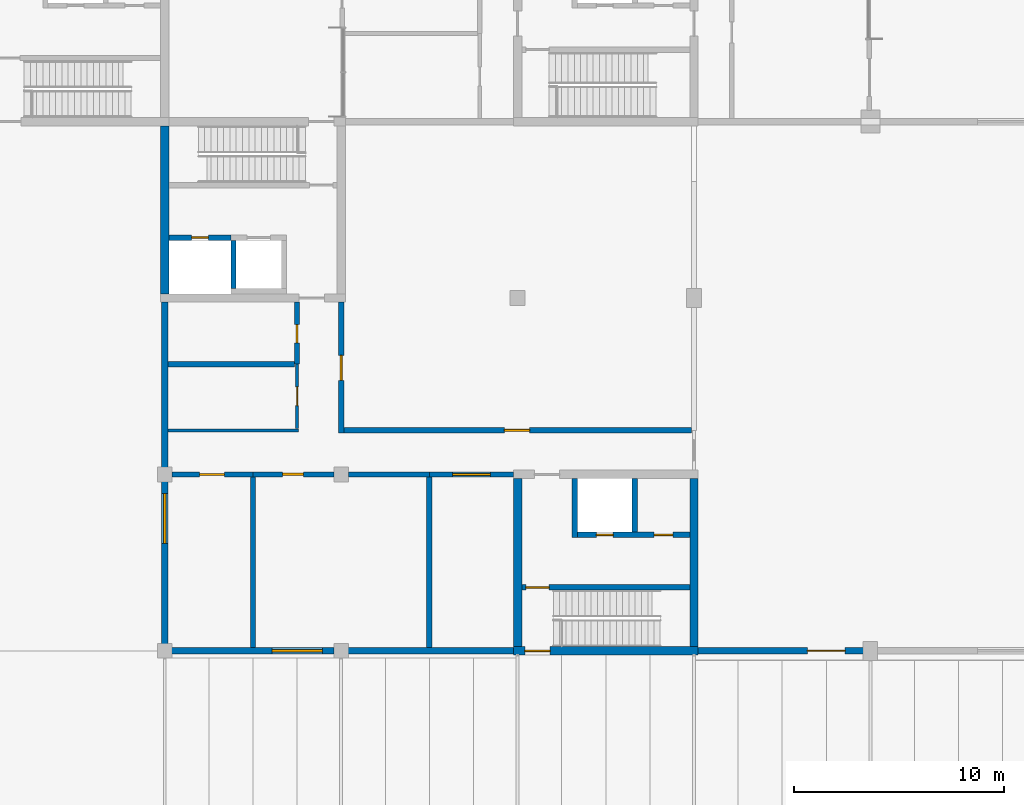
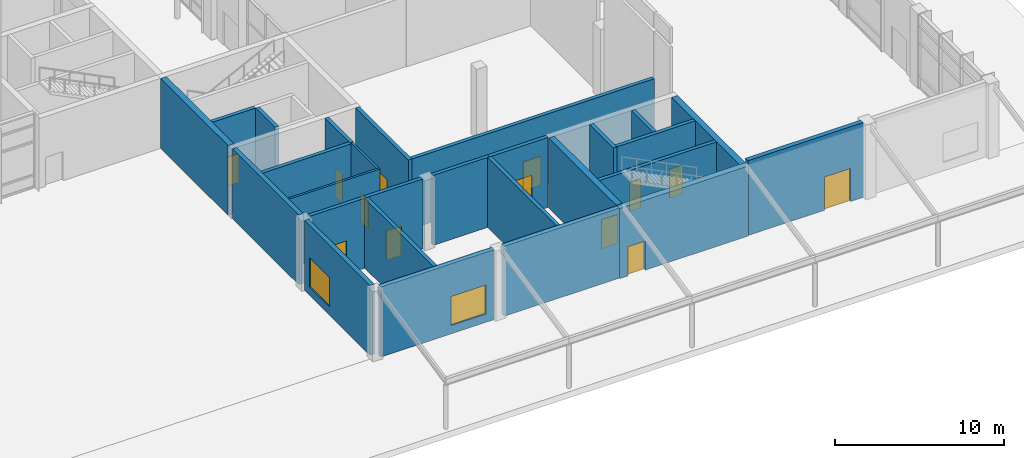
# One storey, part 38 of 76: 27 walls, 13 doors, 2 windows, 15 openings.
"""IFC4 building model written with IfcOpenShell, lengths in metres."""

from ifc_helpers import new_model, si_unit, direction, frame, frame_2d, origin, place, context, subcontext, project, spatial, rectangle, extrude, material, layer, layer_set, type_object, element, fill, save


model = new_model("IFC4")

# Units and contexts
model_context = context("Model", 3, precision=1e-05, world=origin(), true_north=direction((0.0, 1.0)))
body_context = subcontext(model_context, "Body", "Model", "MODEL_VIEW")
ifc_project = project(units=[si_unit("LENGTHUNIT", "METRE"), si_unit("AREAUNIT", "SQUARE_METRE"), si_unit("VOLUMEUNIT", "CUBIC_METRE"), si_unit("PLANEANGLEUNIT", "RADIAN"), si_unit("MASSUNIT", "GRAM", prefix="KILO")], contexts=[model_context])

# Site, building, storey
site_placement = place(None, origin())
site = spatial("IfcSite", under=ifc_project, at=site_placement, CompositionType="ELEMENT")
building_placement = place(site_placement, origin())
building = spatial("IfcBuilding", under=site, at=building_placement, Name="Hlaing Beacon Police Headquarters", CompositionType="ELEMENT")
storey_placement = place(building_placement, origin())
storey = spatial("IfcBuildingStorey", under=building, at=storey_placement, Name="L00", CompositionType="ELEMENT", Elevation=0.0)

# Wall
ifc_material_1 = material(Name="Concrete blockwork 7.5 N/mm2", Category="masonry")
ifc_layer_1 = layer(ifc_material_1, 0.25)
ifc_layer_set_1 = layer_set([ifc_layer_1], Name="Concrete blockwork 7.5 N/mm2")
wall_type_1 = type_object("IfcWallType", Name="Armoury wall EI 120 250", PredefinedType="PARTITIONING", material=ifc_layer_set_1)
wall_1_placement = place(storey_placement, frame((105.0, 8.550048828125, 0.0), z_axis=(0.0, 0.0, 1.0), x_axis=(0.0, 1.0, 0.0)))
element("IfcWall", 1, at=wall_1_placement, inside=storey, type_object=wall_type_1, Name="Armoury wall EI 120 250", PredefinedType="PARTITIONING", context=body_context, shape_type="SweptSolid", body=[
    extrude(rectangle(XDim=8.125, YDim=0.25, at=frame_2d((4.0625, 0.0))), origin(), (0.0, 0.0, 1.0), 5.050048828125),
])

# Wall, opening, door
wall_2_placement = place(storey_placement, frame((96.60009765625, 16.800048828125, 0.0), z_axis=(0.0, 0.0, 1.0), x_axis=(1.0, 0.0, 0.0)))
wall_2 = element("IfcWall", 2, at=wall_2_placement, inside=storey, type_object=wall_type_1, Name="Armoury wall EI 120 250", PredefinedType="PARTITIONING", context=body_context, shape_type="SweptSolid", body=[
    extrude(rectangle(XDim=3.849853515625, YDim=0.25, at=frame_2d((1.9248046875, 0.0))), origin(), (0.0, 0.0, 1.0), 5.050048828125),
])
opening_1_placement = place(wall_2_placement, frame((1.39990234375, 0.0, 0.0)))
opening_1 = element("IfcOpeningElement", 3, at=opening_1_placement, cuts=wall_2, Name="Opening L00-022", PredefinedType="OPENING", context=body_context, shape_type="SweptSolid", body=[
    extrude(rectangle(XDim=1.0, YDim=2.10009765625, at=frame_2d((0.5, 1.050048828125))), frame((0.0, 0.135009765625, 0.0), z_axis=(0.0, -1.0, 0.0), x_axis=(1.0, 0.0, 0.0)), (0.0, 0.0, 1.0), 0.27001953125),
])
ifc_material_2 = material(Name="Steel vault door leaf", Category="steel")
ifc_layer_2 = layer(ifc_material_2, 0.1201171875)
ifc_layer_set_2 = layer_set([ifc_layer_2], Name="Steel vault door leaf")
door_type_1 = type_object("IfcDoorType", Name="Steel vault door FD120 1000x2100", OperationType="SINGLE_SWING_LEFT", PredefinedType="DOOR", material=ifc_layer_set_2)
door_1_placement = place(opening_1_placement, frame((1.0, 0.0, 0.0), z_axis=(0.0, 0.0, 1.0), x_axis=(-1.0, 0.0, 0.0)))
door_1 = element("IfcDoor", 4, at=door_1_placement, inside=storey, type_object=door_type_1, Name="Door Armoury", OperationType="SINGLE_SWING_RIGHT", OverallHeight=2.10009765625, OverallWidth=1.0, PredefinedType="DOOR", context=body_context, shape_type="SweptSolid", body=[
    extrude(rectangle(XDim=1.0, YDim=2.10009765625, at=frame_2d((0.5, 1.050048828125))), frame((0.0, 0.06005859375, 0.0), z_axis=(0.0, -1.0, 0.0), x_axis=(1.0, 0.0, 0.0)), (0.0, 0.0, 1.0), 0.1201171875),
])
fill(opening_1, door_1)

# Walls
wall_3_placement = place(storey_placement, frame((101.14990234375, 16.800048828125, 0.0), z_axis=(0.0, 0.0, 1.0), x_axis=(1.0, 0.0, 0.0)))
element("IfcWall", 5, at=wall_3_placement, inside=storey, type_object=wall_type_1, Name="Armoury wall EI 120 250", PredefinedType="PARTITIONING", context=body_context, shape_type="SweptSolid", body=[
    extrude(rectangle(XDim=3.85009765625, YDim=0.25, at=frame_2d((1.925048828125, 0.0))), origin(), (0.0, 0.0, 1.0), 5.050048828125),
])
wall_4_placement = place(storey_placement, frame((96.60009765625, 8.550048828125, 0.0), z_axis=(0.0, 0.0, 1.0), x_axis=(0.0, 1.0, 0.0)))
element("IfcWall", 6, at=wall_4_placement, inside=storey, type_object=wall_type_1, Name="Armoury wall EI 120 250", PredefinedType="PARTITIONING", context=body_context, shape_type="SweptSolid", body=[
    extrude(rectangle(XDim=8.125, YDim=0.25, at=frame_2d((4.0625, 0.0))), origin(), (0.0, 0.0, 1.0), 5.050048828125),
])

# Wall, opening, door
wall_5_placement = place(storey_placement, frame((105.0, 16.800048828125, 0.0), z_axis=(0.0, 0.0, 1.0), x_axis=(1.0, 0.0, 0.0)))
wall_5 = element("IfcWall", 7, at=wall_5_placement, inside=storey, type_object=wall_type_1, Name="Armoury wall EI 120 250", PredefinedType="PARTITIONING", context=body_context, shape_type="SweptSolid", body=[
    extrude(rectangle(XDim=4.0, YDim=0.25, at=frame_2d((2.0, 0.0))), origin(), (0.0, 0.0, 1.0), 5.050048828125),
])
opening_2_placement = place(wall_5_placement, frame((1.10009765625, 0.0, 0.0)))
opening_2 = element("IfcOpeningElement", 8, at=opening_2_placement, cuts=wall_5, Name="Opening L00-023", PredefinedType="OPENING", context=body_context, shape_type="SweptSolid", body=[
    extrude(rectangle(XDim=1.800048828125, YDim=2.699951171875, at=frame_2d((0.89990234375, 1.35009765625))), frame((0.0, 0.135009765625, 0.0), z_axis=(0.0, -1.0, 0.0), x_axis=(1.0, 0.0, 0.0)), (0.0, 0.0, 1.0), 0.27001953125),
])
ifc_material_3 = material(Name="Steel fire door leaf", Category="steel")
ifc_layer_3 = layer(ifc_material_3, 0.10009765625)
ifc_layer_set_3 = layer_set([ifc_layer_3], Name="Steel fire door leaf")
door_type_2 = type_object("IfcDoorType", Name="Steel plant double door FD120 1800x2700", OperationType="DOUBLE_DOOR_SINGLE_SWING", PredefinedType="DOOR", material=ifc_layer_set_3)
door_2_placement = place(opening_2_placement, frame((1.800048828125, 0.0, 0.0), z_axis=(0.0, 0.0, 1.0), x_axis=(-1.0, 0.0, 0.0)))
door_2 = element("IfcDoor", 9, at=door_2_placement, inside=storey, type_object=door_type_2, Name="Door Armourer's Workshop", OperationType="DOUBLE_DOOR_SINGLE_SWING", OverallHeight=2.699951171875, OverallWidth=1.800048828125, PredefinedType="DOOR", context=body_context, shape_type="SweptSolid", body=[
    extrude(rectangle(XDim=1.800048828125, YDim=2.699951171875, at=frame_2d((0.900146484375, 1.35009765625))), frame((0.0, 0.050048828125, 0.0), z_axis=(0.0, -1.0, 0.0), x_axis=(1.0, 0.0, 0.0)), (0.0, 0.0, 1.0), 0.10009765625),
])
fill(opening_2, door_2)

wall_6_placement = place(storey_placement, frame((98.699951171875, 22.050048828125, 0.0), z_axis=(0.0, 0.0, 1.0), x_axis=(0.0, 1.0, 0.0)))
wall_6 = element("IfcWall", 10, at=wall_6_placement, inside=storey, type_object=wall_type_1, Name="Armoury wall EI 120 250", PredefinedType="PARTITIONING", context=body_context, shape_type="SweptSolid", body=[
    extrude(rectangle(XDim=2.949951171875, YDim=0.25, at=frame_2d((1.47509765625, 0.0))), origin(), (0.0, 0.0, 1.0), 5.050048828125),
])
opening_3_placement = place(wall_6_placement, frame((1.0, 0.0, 0.0)))
opening_3 = element("IfcOpeningElement", 11, at=opening_3_placement, cuts=wall_6, Name="Opening L00-026", PredefinedType="OPENING", context=body_context, shape_type="SweptSolid", body=[
    extrude(rectangle(XDim=0.89990234375, YDim=2.10009765625, at=frame_2d((0.449951171875, 1.050048828125))), frame((0.0, 0.135009765625, 0.0), z_axis=(0.0, -1.0, 0.0), x_axis=(1.0, 0.0, 0.0)), (0.0, 0.0, 1.0), 0.27001953125),
])
ifc_material_4 = material(Name="Hardwood door leaf", Category="wood")
ifc_layer_4 = layer(ifc_material_4, 0.10009765625)
ifc_layer_set_4 = layer_set([ifc_layer_4], Name="Hardwood door leaf")
door_type_3 = type_object("IfcDoorType", Name="Fire door FD120 900x2100", OperationType="SINGLE_SWING_LEFT", PredefinedType="DOOR", material=ifc_layer_set_4)
door_3_placement = place(opening_3_placement, origin())
door_3 = element("IfcDoor", 12, at=door_3_placement, inside=storey, type_object=door_type_3, Name="Door Range Control Room", OperationType="SINGLE_SWING_LEFT", OverallHeight=2.10009765625, OverallWidth=0.89990234375, PredefinedType="DOOR", context=body_context, shape_type="SweptSolid", body=[
    extrude(rectangle(XDim=0.89990234375, YDim=2.10009765625, at=frame_2d((0.449951171875, 1.050048828125))), frame((0.0, 0.050048828125, 0.0), z_axis=(0.0, -1.0, 0.0), x_axis=(1.0, 0.0, 0.0)), (0.0, 0.0, 1.0), 0.10009765625),
])
fill(opening_3, door_3)

wall_7_placement = place(storey_placement, frame((100.800048828125, 18.77490234375, 0.0), z_axis=(0.0, 0.0, 1.0), x_axis=(0.0, 1.0, 0.0)))
wall_7 = element("IfcWall", 13, at=wall_7_placement, inside=storey, type_object=wall_type_1, Name="Armoury wall EI 120 250", PredefinedType="PARTITIONING", context=body_context, shape_type="SweptSolid", body=[
    extrude(rectangle(XDim=6.22509765625, YDim=0.25, at=frame_2d((3.112548828125, 0.0))), origin(), (0.0, 0.0, 1.0), 5.050048828125),
])
opening_4_placement = place(wall_7_placement, frame((2.5, 0.0, 0.0)))
opening_4 = element("IfcOpeningElement", 14, at=opening_4_placement, cuts=wall_7, Name="Opening L00-027", PredefinedType="OPENING", context=body_context, shape_type="SweptSolid", body=[
    extrude(rectangle(XDim=1.199951171875, YDim=2.10009765625, at=frame_2d((0.60009765625, 1.050048828125))), frame((0.0, 0.135009765625, 0.0), z_axis=(0.0, -1.0, 0.0), x_axis=(1.0, 0.0, 0.0)), (0.0, 0.0, 1.0), 0.27001953125),
])
ifc_material_5 = material(Name="Steel security door leaf", Category="steel")
ifc_layer_5 = layer(ifc_material_5, 0.090087890625)
ifc_layer_set_5 = layer_set([ifc_layer_5], Name="Steel security door leaf")
door_type_4 = type_object("IfcDoorType", Name="Steel security door FD120 1200x2100", OperationType="SINGLE_SWING_LEFT", PredefinedType="DOOR", material=ifc_layer_set_5)
door_4_placement = place(opening_4_placement, frame((1.199951171875, 0.0, 0.0), z_axis=(0.0, 0.0, 1.0), x_axis=(-1.0, 0.0, 0.0)))
door_4 = element("IfcDoor", 15, at=door_4_placement, inside=storey, type_object=door_type_4, Name="Door Indoor Firing Range", OperationType="SINGLE_SWING_RIGHT", OverallHeight=2.10009765625, OverallWidth=1.199951171875, PredefinedType="DOOR", context=body_context, shape_type="SweptSolid", body=[
    extrude(rectangle(XDim=1.199951171875, YDim=2.10009765625, at=frame_2d((0.599853515625, 1.050048828125))), frame((0.0, 0.045166015625, 0.0), z_axis=(0.0, -1.0, 0.0), x_axis=(1.0, 0.0, 0.0)), (0.0, 0.0, 1.0), 0.090087890625),
])
fill(opening_4, door_4)

wall_8_placement = place(storey_placement, frame((100.925048828125, 18.89990234375, 0.0), z_axis=(0.0, 0.0, 1.0), x_axis=(1.0, 0.0, 0.0)))
wall_8 = element("IfcWall", 16, at=wall_8_placement, inside=storey, type_object=wall_type_1, Name="Armoury wall EI 120 250", PredefinedType="PARTITIONING", context=body_context, shape_type="SweptSolid", body=[
    extrude(rectangle(XDim=16.550048828125, YDim=0.25, at=frame_2d((8.27490234375, 0.0))), origin(), (0.0, 0.0, 1.0), 5.050048828125),
])
opening_5_placement = place(wall_8_placement, frame((7.64990234375, 0.0, 0.0)))
opening_5 = element("IfcOpeningElement", 17, at=opening_5_placement, cuts=wall_8, Name="Opening L00-028", PredefinedType="OPENING", context=body_context, shape_type="SweptSolid", body=[
    extrude(rectangle(XDim=1.199951171875, YDim=2.10009765625, at=frame_2d((0.60009765625, 1.050048828125))), frame((0.0, 0.135009765625, 0.0), z_axis=(0.0, -1.0, 0.0), x_axis=(1.0, 0.0, 0.0)), (0.0, 0.0, 1.0), 0.27001953125),
])
door_5_placement = place(opening_5_placement, origin())
door_5 = element("IfcDoor", 18, at=door_5_placement, inside=storey, type_object=door_type_4, Name="Door Indoor Firing Range", OperationType="SINGLE_SWING_LEFT", OverallHeight=2.10009765625, OverallWidth=1.199951171875, PredefinedType="DOOR", context=body_context, shape_type="SweptSolid", body=[
    extrude(rectangle(XDim=1.199951171875, YDim=2.10009765625, at=frame_2d((0.60009765625, 1.050048828125))), frame((0.0, 0.044921875, 0.0), z_axis=(0.0, -1.0, 0.0), x_axis=(1.0, 0.0, 0.0)), (0.0, 0.0, 1.0), 0.090087890625),
])
fill(opening_5, door_5)

# Walls
wall_9_placement = place(storey_placement, frame((92.550048828125, 22.050048828125, 0.0), z_axis=(0.0, 0.0, 1.0), x_axis=(1.0, 0.0, 0.0)))
element("IfcWall", 19, at=wall_9_placement, inside=storey, type_object=wall_type_1, Name="Armoury wall EI 120 250", PredefinedType="PARTITIONING", context=body_context, shape_type="SweptSolid", body=[
    extrude(rectangle(XDim=6.02490234375, YDim=0.25, at=frame_2d((3.012451171875, 0.0))), origin(), (0.0, 0.0, 1.0), 5.050048828125),
])
ifc_material_6 = material(Name="Concrete C60/75", Category="concrete")
ifc_layer_6 = layer(ifc_material_6, 0.39990234375)
ifc_layer_set_6 = layer_set([ifc_layer_6], Name="Concrete C60/75")
wall_type_2 = type_object("IfcWallType", Name="Core shear wall 400", PredefinedType="SHEAR", material=ifc_layer_set_6)
wall_10_placement = place(storey_placement, frame((92.39990234375, 25.39990234375, 0.0), z_axis=(0.0, 0.0, 1.0), x_axis=(0.0, 1.0, 0.0)))
element("IfcWall", 20, at=wall_10_placement, inside=storey, type_object=wall_type_2, Name="Core shear wall", PredefinedType="SHEAR", context=body_context, shape_type="SweptSolid", body=[
    extrude(rectangle(XDim=8.0, YDim=0.39990234375, at=frame_2d((4.0, 0.0))), origin(), (0.0, 0.0, 1.0), 5.050048828125),
])

# Wall, opening, door
wall_11_placement = place(storey_placement, frame((109.0, 8.39990234375, 0.0), z_axis=(0.0, 0.0, 1.0), x_axis=(1.0, 0.0, 0.0)))
wall_11 = element("IfcWall", 21, at=wall_11_placement, inside=storey, type_object=wall_type_2, Name="Core shear wall", PredefinedType="SHEAR", context=body_context, shape_type="SweptSolid", body=[
    extrude(rectangle(XDim=8.800048828125, YDim=0.39990234375, at=frame_2d((4.39990234375, 0.0))), origin(), (0.0, 0.0, 1.0), 5.050048828125),
])
opening_6_placement = place(wall_11_placement, frame((0.550048828125, 0.0, 0.0)))
opening_6 = element("IfcOpeningElement", 22, at=opening_6_placement, cuts=wall_11, Name="Opening L00-936", PredefinedType="OPENING", context=body_context, shape_type="SweptSolid", body=[
    extrude(rectangle(XDim=1.199951171875, YDim=2.10009765625, at=frame_2d((0.60009765625, 1.050048828125))), frame((0.0, 0.2099609375, 0.0), z_axis=(0.0, -1.0, 0.0), x_axis=(1.0, 0.0, 0.0)), (0.0, 0.0, 1.0), 0.419921875),
])
ifc_material_7 = material(Name="Steel fire door leaf", Category="steel")
ifc_layer_7 = layer(ifc_material_7, 0.070068359375)
ifc_layer_set_7 = layer_set([ifc_layer_7], Name="Steel fire door leaf")
door_type_5 = type_object("IfcDoorType", Name="Steel fire door FD60 1200x2100", OperationType="SINGLE_SWING_LEFT", PredefinedType="DOOR", material=ifc_layer_set_7)
door_6_placement = place(opening_6_placement, frame((1.199951171875, 0.0, 0.0), z_axis=(0.0, 0.0, 1.0), x_axis=(-1.0, 0.0, 0.0)))
door_6 = element("IfcDoor", 23, at=door_6_placement, inside=storey, type_object=door_type_5, Name="Door Stair ST-H Exit", OperationType="SINGLE_SWING_LEFT", OverallHeight=2.10009765625, OverallWidth=1.199951171875, PredefinedType="DOOR", context=body_context, shape_type="SweptSolid", body=[
    extrude(rectangle(XDim=1.199951171875, YDim=2.10009765625, at=frame_2d((0.599853515625, 1.050048828125))), frame((0.0, 0.034912109375, 0.0), z_axis=(0.0, -1.0, 0.0), x_axis=(1.0, 0.0, 0.0)), (0.0, 0.0, 1.0), 0.070068359375),
])
fill(opening_6, door_6)

# Walls
for number, where, z_axis, x_axis, name in (
    (24, (109.199951171875, 8.60009765625, 0.0), (0.0, 0.0, 1.0), (0.0, 1.0, 0.0), "Core shear wall"),
    (25, (117.60009765625, 8.60009765625, 0.0), (0.0, 0.0, 1.0), (0.0, 1.0, 0.0), "Core shear wall"),
):
    element("IfcWall", number, at=place(storey_placement, frame(where, z_axis=z_axis, x_axis=x_axis)), inside=storey, type_object=wall_type_2, Name=name, PredefinedType="SHEAR", context=body_context, shape_type="SweptSolid", body=[
        extrude(rectangle(XDim=8.0, YDim=0.39990234375, at=frame_2d((4.0, 0.0))), origin(), (0.0, 0.0, 1.0), 5.050048828125),
    ])
ifc_material_8 = material(Name="Gypsum board partition")
ifc_layer_8 = layer(ifc_material_8, 0.14990234375)
ifc_layer_set_8 = layer_set([ifc_layer_8], Name="Gypsum board partition")
wall_type_3 = type_object("IfcWallType", Name="Corridor wall EI 30 150", PredefinedType="PARTITIONING", material=ifc_layer_set_8)
wall_12_placement = place(storey_placement, frame((92.550048828125, 18.89990234375, 0.0), z_axis=(0.0, 0.0, 1.0), x_axis=(1.0, 0.0, 0.0)))
element("IfcWall", 26, at=wall_12_placement, inside=storey, type_object=wall_type_3, Name="Corridor wall EI 30 150", PredefinedType="PARTITIONING", context=body_context, shape_type="SweptSolid", body=[
    extrude(rectangle(XDim=6.224853515625, YDim=0.14990234375, at=frame_2d((3.1123046875, 0.0))), origin(), (0.0, 0.0, 1.0), 5.050048828125),
])

# Wall, opening, door
wall_13_placement = place(storey_placement, frame((98.699951171875, 18.97509765625, 0.0), z_axis=(0.0, 0.0, 1.0), x_axis=(0.0, 1.0, 0.0)))
wall_13 = element("IfcWall", 27, at=wall_13_placement, inside=storey, type_object=wall_type_3, Name="Corridor wall EI 30 150", PredefinedType="PARTITIONING", context=body_context, shape_type="SweptSolid", body=[
    extrude(rectangle(XDim=3.074951171875, YDim=0.14990234375, at=frame_2d((1.53759765625, 0.0))), origin(), (0.0, 0.0, 1.0), 5.050048828125),
])
opening_7_placement = place(wall_13_placement, frame((1.10009765625, 0.0, 0.0)))
opening_7 = element("IfcOpeningElement", 28, at=opening_7_placement, cuts=wall_13, Name="Opening L00-024", PredefinedType="OPENING", context=body_context, shape_type="SweptSolid", body=[
    extrude(rectangle(XDim=0.89990234375, YDim=2.10009765625, at=frame_2d((0.449951171875, 1.050048828125))), frame((0.0, 0.0849609375, 0.0), z_axis=(0.0, -1.0, 0.0), x_axis=(1.0, 0.0, 0.0)), (0.0, 0.0, 1.0), 0.169921875),
])
ifc_material_9 = material(Name="Hardwood door leaf", Category="wood")
ifc_layer_9 = layer(ifc_material_9, 0.050048828125)
ifc_layer_set_9 = layer_set([ifc_layer_9], Name="Hardwood door leaf")
door_type_6 = type_object("IfcDoorType", Name="Fire door FD30S 900x2100", OperationType="SINGLE_SWING_LEFT", PredefinedType="DOOR", material=ifc_layer_set_9)
door_7_placement = place(opening_7_placement, origin())
door_7 = element("IfcDoor", 29, at=door_7_placement, inside=storey, type_object=door_type_6, Name="Door Range Equipment Store", OperationType="SINGLE_SWING_LEFT", OverallHeight=2.10009765625, OverallWidth=0.89990234375, PredefinedType="DOOR", context=body_context, shape_type="SweptSolid", body=[
    extrude(rectangle(XDim=0.89990234375, YDim=2.10009765625, at=frame_2d((0.449951171875, 1.050048828125))), frame((0.0, 0.02490234375, 0.0), z_axis=(0.0, -1.0, 0.0), x_axis=(1.0, 0.0, 0.0)), (0.0, 0.0, 1.0), 0.050048828125),
])
fill(opening_7, door_7)

ifc_material_10 = material(Name="Concrete blockwork 7.5 N/mm2", Category="masonry")
ifc_layer_10 = layer(ifc_material_10, 0.25)
ifc_layer_set_10 = layer_set([ifc_layer_10], Name="Concrete blockwork 7.5 N/mm2")
wall_type_4 = type_object("IfcWallType", Name="Plant room wall EI 120 250", PredefinedType="PARTITIONING", material=ifc_layer_set_10)
wall_14_placement = place(storey_placement, frame((92.75, 16.800048828125, 0.0), z_axis=(0.0, 0.0, 1.0), x_axis=(1.0, 0.0, 0.0)))
wall_14 = element("IfcWall", 30, at=wall_14_placement, inside=storey, type_object=wall_type_4, Name="Plant room wall EI 120 250", PredefinedType="PARTITIONING", context=body_context, shape_type="SweptSolid", body=[
    extrude(rectangle(XDim=3.85009765625, YDim=0.25, at=frame_2d((1.925048828125, 0.0))), origin(), (0.0, 0.0, 1.0), 5.050048828125),
])
opening_8_placement = place(wall_14_placement, frame((1.300048828125, 0.0, 0.0)))
opening_8 = element("IfcOpeningElement", 31, at=opening_8_placement, cuts=wall_14, Name="Opening L00-029", PredefinedType="OPENING", context=body_context, shape_type="SweptSolid", body=[
    extrude(rectangle(XDim=1.199951171875, YDim=2.39990234375, at=frame_2d((0.60009765625, 1.199951171875))), frame((0.0, 0.135009765625, 0.0), z_axis=(0.0, -1.0, 0.0), x_axis=(1.0, 0.0, 0.0)), (0.0, 0.0, 1.0), 0.27001953125),
])
ifc_material_11 = material(Name="Steel fire door leaf", Category="steel")
ifc_layer_11 = layer(ifc_material_11, 0.10009765625)
ifc_layer_set_11 = layer_set([ifc_layer_11], Name="Steel fire door leaf")
door_type_7 = type_object("IfcDoorType", Name="Steel plant door FD120 1200x2400", OperationType="SINGLE_SWING_LEFT", PredefinedType="DOOR", material=ifc_layer_set_11)
door_8_placement = place(opening_8_placement, frame((1.199951171875, 0.0, 0.0), z_axis=(0.0, 0.0, 1.0), x_axis=(-1.0, 0.0, 0.0)))
door_8 = element("IfcDoor", 32, at=door_8_placement, inside=storey, type_object=door_type_7, Name="Door Range Ventilation Plant Room", OperationType="SINGLE_SWING_RIGHT", OverallHeight=2.39990234375, OverallWidth=1.199951171875, PredefinedType="DOOR", context=body_context, shape_type="SweptSolid", body=[
    extrude(rectangle(XDim=1.199951171875, YDim=2.39990234375, at=frame_2d((0.599853515625, 1.199951171875))), frame((0.0, 0.050048828125, 0.0), z_axis=(0.0, -1.0, 0.0), x_axis=(1.0, 0.0, 0.0)), (0.0, 0.0, 1.0), 0.10009765625),
])
fill(opening_8, door_8)

# Wall
ifc_material_12 = material(Name="Concrete C40/50 precast ribbed cladding", Category="concrete")
ifc_layer_12 = layer(ifc_material_12, 0.300048828125)
ifc_layer_set_12 = layer_set([ifc_layer_12], Name="Concrete C40/50 precast ribbed cladding")
wall_type_5 = type_object("IfcWallType", Name="Precast ribbed wall 300", PredefinedType="SOLIDWALL", material=ifc_layer_set_12)
wall_15_placement = place(storey_placement, frame((92.39990234375, 25.0, 0.0), z_axis=(0.0, 0.0, 1.0), x_axis=(0.0, -1.0, 0.0)))
element("IfcWall", 33, at=wall_15_placement, inside=storey, type_object=wall_type_5, Name="External wall L00 W018", PredefinedType="SOLIDWALL", context=body_context, shape_type="SweptSolid", body=[
    extrude(rectangle(XDim=7.8701171875, YDim=0.300048828125, at=frame_2d((3.93505859375, 0.0))), origin(), (0.0, 0.0, 1.0), 5.050048828125),
])

# Wall, opening, window
wall_16_placement = place(storey_placement, frame((92.39990234375, 16.469970703125, 0.0), z_axis=(0.0, 0.0, 1.0), x_axis=(0.0, -1.0, 0.0)))
wall_16 = element("IfcWall", 34, at=wall_16_placement, inside=storey, type_object=wall_type_5, Name="External wall L00 W019", PredefinedType="SOLIDWALL", context=body_context, shape_type="SweptSolid", body=[
    extrude(rectangle(XDim=7.739990234375, YDim=0.300048828125, at=frame_2d((3.8701171875, 0.0))), origin(), (0.0, 0.0, 1.0), 5.050048828125),
])
opening_9_placement = place(wall_16_placement, frame((0.570068359375, 0.0, 0.60009765625)))
opening_9 = element("IfcOpeningElement", 35, at=opening_9_placement, cuts=wall_16, Name="Opening WN8", PredefinedType="OPENING", context=body_context, shape_type="SweptSolid", body=[
    extrude(rectangle(XDim=2.39990234375, YDim=2.10009765625, at=frame_2d((1.199951171875, 1.050048828125))), frame((0.0, 0.16015625, 0.0), z_axis=(0.0, -1.0, 0.0), x_axis=(1.0, 0.0, 0.0)), (0.0, 0.0, 1.0), 0.320068359375),
])
ifc_material_13 = material(Name="Aluminium louvre blades", Category="aluminium")
window_type = type_object("IfcWindowType", Name="Louvred bay 2400 2400x2100 frame 120", PartitioningType="SINGLE_PANEL", PredefinedType="WINDOW", material=ifc_material_13)
window_1_placement = place(opening_9_placement, origin())
window_1 = element("IfcWindow", 36, at=window_1_placement, inside=storey, type_object=window_type, Name="Louvre L00 WL3", OverallHeight=2.10009765625, OverallWidth=2.39990234375, PartitioningType="SINGLE_PANEL", PredefinedType="WINDOW", context=body_context, shape_type="SweptSolid", body=[
    extrude(rectangle(XDim=2.39990234375, YDim=2.10009765625, at=frame_2d((1.199951171875, 1.050048828125))), frame((0.0, 0.06005859375, 0.0), z_axis=(0.0, -1.0, 0.0), x_axis=(1.0, 0.0, 0.0)), (0.0, 0.0, 1.0), 0.1201171875),
])
fill(opening_9, window_1)

wall_17_placement = place(storey_placement, frame((92.72998046875, 8.39990234375, 0.0), z_axis=(0.0, 0.0, 1.0), x_axis=(1.0, 0.0, 0.0)))
wall_17 = element("IfcWall", 37, at=wall_17_placement, inside=storey, type_object=wall_type_5, Name="External wall L00 S020", PredefinedType="SOLIDWALL", context=body_context, shape_type="SweptSolid", body=[
    extrude(rectangle(XDim=7.739990234375, YDim=0.300048828125, at=frame_2d((3.8701171875, 0.0))), origin(), (0.0, 0.0, 1.0), 5.050048828125),
])
opening_10_placement = place(wall_17_placement, frame((4.77001953125, 0.0, 0.60009765625)))
opening_10 = element("IfcOpeningElement", 38, at=opening_10_placement, cuts=wall_17, Name="Opening WN8", PredefinedType="OPENING", context=body_context, shape_type="SweptSolid", body=[
    extrude(rectangle(XDim=2.39990234375, YDim=2.10009765625, at=frame_2d((1.199951171875, 1.050048828125))), frame((0.0, 0.16015625, 0.0), z_axis=(0.0, -1.0, 0.0), x_axis=(1.0, 0.0, 0.0)), (0.0, 0.0, 1.0), 0.320068359375),
])
window_2_placement = place(opening_10_placement, origin())
window_2 = element("IfcWindow", 39, at=window_2_placement, inside=storey, type_object=window_type, Name="Louvre L00 WL3", OverallHeight=2.10009765625, OverallWidth=2.39990234375, PartitioningType="SINGLE_PANEL", PredefinedType="WINDOW", context=body_context, shape_type="SweptSolid", body=[
    extrude(rectangle(XDim=2.39990234375, YDim=2.10009765625, at=frame_2d((1.199951171875, 1.050048828125))), frame((0.0, 0.06005859375, 0.0), z_axis=(0.0, -1.0, 0.0), x_axis=(1.0, 0.0, 0.0)), (0.0, 0.0, 1.0), 0.1201171875),
])
fill(opening_10, window_2)

# Wall
wall_18_placement = place(storey_placement, frame((101.1298828125, 8.39990234375, 0.0), z_axis=(0.0, 0.0, 1.0), x_axis=(1.0, 0.0, 0.0)))
element("IfcWall", 40, at=wall_18_placement, inside=storey, type_object=wall_type_5, Name="External wall L00 S021", PredefinedType="SOLIDWALL", context=body_context, shape_type="SweptSolid", body=[
    extrude(rectangle(XDim=7.8701171875, YDim=0.300048828125, at=frame_2d((3.93505859375, 0.0))), origin(), (0.0, 0.0, 1.0), 5.050048828125),
])

# Wall, opening, door
wall_19_placement = place(storey_placement, frame((117.800048828125, 8.39990234375, 0.0), z_axis=(0.0, 0.0, 1.0), x_axis=(1.0, 0.0, 0.0)))
wall_19 = element("IfcWall", 41, at=wall_19_placement, inside=storey, type_object=wall_type_5, Name="External wall L00 S022", PredefinedType="SOLIDWALL", context=body_context, shape_type="SweptSolid", body=[
    extrude(rectangle(XDim=7.869873046875, YDim=0.300048828125, at=frame_2d((3.93505859375, 0.0))), origin(), (0.0, 0.0, 1.0), 5.39990234375),
])
opening_11_placement = place(wall_19_placement, frame((5.199951171875, 0.0, 0.0)))
opening_11 = element("IfcOpeningElement", 42, at=opening_11_placement, cuts=wall_19, Name="Opening L00-807", PredefinedType="OPENING", context=body_context, shape_type="SweptSolid", body=[
    extrude(rectangle(XDim=1.800048828125, YDim=2.39990234375, at=frame_2d((0.89990234375, 1.199951171875))), frame((0.0, 0.16015625, 0.0), z_axis=(0.0, -1.0, 0.0), x_axis=(1.0, 0.0, 0.0)), (0.0, 0.0, 1.0), 0.320068359375),
])
ifc_material_14 = material(Name="Aluminium framed glazed door", Category="aluminium")
door_type_8 = type_object("IfcDoorType", Name="Entrance door 1800x2400 double", OperationType="DOUBLE_DOOR_DOUBLE_SWING", PredefinedType="DOOR", material=ifc_material_14)
door_9_placement = place(opening_11_placement, frame((1.800048828125, 0.0, 0.0), z_axis=(0.0, 0.0, 1.0), x_axis=(-1.0, 0.0, 0.0)))
door_9 = element("IfcDoor", 43, at=door_9_placement, inside=storey, type_object=door_type_8, Name="Door Gymnasium Hall", OperationType="DOUBLE_DOOR_DOUBLE_SWING", OverallHeight=2.39990234375, OverallWidth=1.800048828125, PredefinedType="DOOR", context=body_context, shape_type="SweptSolid", body=[
    extrude(rectangle(XDim=1.800048828125, YDim=2.39990234375, at=frame_2d((0.900146484375, 1.199951171875))), frame((0.0, 0.025146484375, 0.0), z_axis=(0.0, -1.0, 0.0), x_axis=(1.0, 0.0, 0.0)), (0.0, 0.0, 1.0), 0.050048828125),
])
fill(opening_11, door_9)

ifc_material_15 = material(Name="Concrete C40/50", Category="concrete")
ifc_layer_13 = layer(ifc_material_15, 0.25)
ifc_layer_set_13 = layer_set([ifc_layer_13], Name="Concrete C40/50")
wall_type_6 = type_object("IfcWallType", Name="Shaft wall 250", PredefinedType="SOLIDWALL", material=ifc_layer_set_13)
wall_20_placement = place(storey_placement, frame((95.550048828125, 28.074951171875, 0.0), z_axis=(0.0, 0.0, 1.0), x_axis=(-1.0, 0.0, 0.0)))
wall_20 = element("IfcWall", 44, at=wall_20_placement, inside=storey, type_object=wall_type_6, Name="Lobby wall", PredefinedType="SOLIDWALL", context=body_context, shape_type="SweptSolid", body=[
    extrude(rectangle(XDim=2.949951171875, YDim=0.25, at=frame_2d((1.47509765625, 0.0))), origin(), (0.0, 0.0, 1.0), 5.050048828125),
])
opening_12_placement = place(wall_20_placement, frame((1.074951171875, 0.0, 0.0)))
opening_12 = element("IfcOpeningElement", 45, at=opening_12_placement, cuts=wall_20, Name="Opening L00-929", PredefinedType="OPENING", context=body_context, shape_type="SweptSolid", body=[
    extrude(rectangle(XDim=0.800048828125, YDim=2.10009765625, at=frame_2d((0.39990234375, 1.050048828125))), frame((0.0, 0.135009765625, 0.0), z_axis=(0.0, -1.0, 0.0), x_axis=(1.0, 0.0, 0.0)), (0.0, 0.0, 1.0), 0.27001953125),
])
ifc_material_16 = material(Name="Steel fire door leaf", Category="steel")
ifc_layer_14 = layer(ifc_material_16, 0.070068359375)
ifc_layer_set_14 = layer_set([ifc_layer_14], Name="Steel fire door leaf")
door_type_9 = type_object("IfcDoorType", Name="Steel fire door FD60 800x2100", OperationType="SINGLE_SWING_LEFT", PredefinedType="DOOR", material=ifc_layer_set_14)
door_10_placement = place(opening_12_placement, origin())
door_10 = element("IfcDoor", 46, at=door_10_placement, inside=storey, type_object=door_type_9, Name="Door Services Riser", OperationType="SINGLE_SWING_RIGHT", OverallHeight=2.10009765625, OverallWidth=0.800048828125, PredefinedType="DOOR", context=body_context, shape_type="SweptSolid", body=[
    extrude(rectangle(XDim=0.800048828125, YDim=2.10009765625, at=frame_2d((0.39990234375, 1.050048828125))), frame((0.0, 0.03515625, 0.0), z_axis=(0.0, -1.0, 0.0), x_axis=(1.0, 0.0, 0.0)), (0.0, 0.0, 1.0), 0.070068359375),
])
fill(opening_12, door_10)

wall_21_placement = place(storey_placement, frame((109.39990234375, 11.425048828125, 0.0), z_axis=(0.0, 0.0, 1.0), x_axis=(1.0, 0.0, 0.0)))
wall_21 = element("IfcWall", 47, at=wall_21_placement, inside=storey, type_object=wall_type_6, Name="Stair enclosure wall", PredefinedType="SOLIDWALL", context=body_context, shape_type="SweptSolid", body=[
    extrude(rectangle(XDim=8.0, YDim=0.25, at=frame_2d((4.0, 0.0))), origin(), (0.0, 0.0, 1.0), 5.050048828125),
])
opening_13_placement = place(wall_21_placement, frame((0.199951171875, 0.0, 0.0)))
opening_13 = element("IfcOpeningElement", 48, at=opening_13_placement, cuts=wall_21, Name="Opening L00-935", PredefinedType="OPENING", context=body_context, shape_type="SweptSolid", body=[
    extrude(rectangle(XDim=1.10009765625, YDim=2.10009765625, at=frame_2d((0.550048828125, 1.050048828125))), frame((0.0, 0.135009765625, 0.0), z_axis=(0.0, -1.0, 0.0), x_axis=(1.0, 0.0, 0.0)), (0.0, 0.0, 1.0), 0.27001953125),
])
ifc_material_17 = material(Name="Steel fire door leaf", Category="steel")
ifc_layer_15 = layer(ifc_material_17, 0.070068359375)
ifc_layer_set_15 = layer_set([ifc_layer_15], Name="Steel fire door leaf")
door_type_10 = type_object("IfcDoorType", Name="Steel fire door FD60 1100x2100", OperationType="SINGLE_SWING_LEFT", PredefinedType="DOOR", material=ifc_layer_set_15)
door_11_placement = place(opening_13_placement, frame((1.10009765625, 0.0, 0.0), z_axis=(0.0, 0.0, 1.0), x_axis=(-1.0, 0.0, 0.0)))
door_11 = element("IfcDoor", 49, at=door_11_placement, inside=storey, type_object=door_type_10, Name="Door Stair ST-H", OperationType="SINGLE_SWING_LEFT", OverallHeight=2.10009765625, OverallWidth=1.10009765625, PredefinedType="DOOR", context=body_context, shape_type="SweptSolid", body=[
    extrude(rectangle(XDim=1.10009765625, YDim=2.10009765625, at=frame_2d((0.550048828125, 1.050048828125))), frame((0.0, 0.034912109375, 0.0), z_axis=(0.0, -1.0, 0.0), x_axis=(1.0, 0.0, 0.0)), (0.0, 0.0, 1.0), 0.070068359375),
])
fill(opening_13, door_11)

# Wall
wall_22_placement = place(storey_placement, frame((111.925048828125, 13.800048828125, 0.0), z_axis=(0.0, 0.0, 1.0), x_axis=(0.0, 1.0, 0.0)))
element("IfcWall", 50, at=wall_22_placement, inside=storey, type_object=wall_type_6, Name="Lobby wall", PredefinedType="SOLIDWALL", context=body_context, shape_type="SweptSolid", body=[
    extrude(rectangle(XDim=2.800048828125, YDim=0.25, at=frame_2d((1.39990234375, 0.0))), origin(), (0.0, 0.0, 1.0), 5.050048828125),
])

# Wall, openings, doors
wall_23_placement = place(storey_placement, frame((112.050048828125, 13.925048828125, 0.0), z_axis=(0.0, 0.0, 1.0), x_axis=(1.0, 0.0, 0.0)))
wall_23 = element("IfcWall", 51, at=wall_23_placement, inside=storey, type_object=wall_type_6, Name="Lobby wall", PredefinedType="SOLIDWALL", context=body_context, shape_type="SweptSolid", body=[
    extrude(rectangle(XDim=5.349853515625, YDim=0.25, at=frame_2d((2.6748046875, 0.0))), origin(), (0.0, 0.0, 1.0), 5.050048828125),
])
opening_14_placement = place(wall_23_placement, frame((3.64990234375, 0.0, 0.0)))
opening_14 = element("IfcOpeningElement", 52, at=opening_14_placement, cuts=wall_23, Name="Opening L00-932", PredefinedType="OPENING", context=body_context, shape_type="SweptSolid", body=[
    extrude(rectangle(XDim=0.89990234375, YDim=2.10009765625, at=frame_2d((0.449951171875, 1.050048828125))), frame((0.0, 0.135009765625, 0.0), z_axis=(0.0, -1.0, 0.0), x_axis=(1.0, 0.0, 0.0)), (0.0, 0.0, 1.0), 0.27001953125),
])
opening_15_placement = place(wall_23_placement, frame((0.89990234375, 0.0, 0.0)))
opening_15 = element("IfcOpeningElement", 53, at=opening_15_placement, cuts=wall_23, Name="Opening L00-934", PredefinedType="OPENING", context=body_context, shape_type="SweptSolid", body=[
    extrude(rectangle(XDim=0.800048828125, YDim=2.10009765625, at=frame_2d((0.39990234375, 1.050048828125))), frame((0.0, 0.135009765625, 0.0), z_axis=(0.0, -1.0, 0.0), x_axis=(1.0, 0.0, 0.0)), (0.0, 0.0, 1.0), 0.27001953125),
])
door_12_placement = place(opening_15_placement, origin())
door_12 = element("IfcDoor", 54, at=door_12_placement, inside=storey, type_object=door_type_9, Name="Door Services Riser", OperationType="SINGLE_SWING_RIGHT", OverallHeight=2.10009765625, OverallWidth=0.800048828125, PredefinedType="DOOR", context=body_context, shape_type="SweptSolid", body=[
    extrude(rectangle(XDim=0.800048828125, YDim=2.10009765625, at=frame_2d((0.39990234375, 1.050048828125))), frame((0.0, 0.03515625, 0.0), z_axis=(0.0, -1.0, 0.0), x_axis=(1.0, 0.0, 0.0)), (0.0, 0.0, 1.0), 0.070068359375),
])
fill(opening_15, door_12)
ifc_material_18 = material(Name="Steel fire door leaf", Category="steel")
ifc_layer_16 = layer(ifc_material_18, 0.070068359375)
ifc_layer_set_16 = layer_set([ifc_layer_16], Name="Steel fire door leaf")
door_type_11 = type_object("IfcDoorType", Name="Steel fire door FD60 900x2100", OperationType="SINGLE_SWING_LEFT", PredefinedType="DOOR", material=ifc_layer_set_16)
door_13_placement = place(opening_14_placement, origin())
door_13 = element("IfcDoor", 55, at=door_13_placement, inside=storey, type_object=door_type_11, Name="Door Cleaners' Store", OperationType="SINGLE_SWING_LEFT", OverallHeight=2.10009765625, OverallWidth=0.89990234375, PredefinedType="DOOR", context=body_context, shape_type="SweptSolid", body=[
    extrude(rectangle(XDim=0.89990234375, YDim=2.10009765625, at=frame_2d((0.449951171875, 1.050048828125))), frame((0.0, 0.03515625, 0.0), z_axis=(0.0, -1.0, 0.0), x_axis=(1.0, 0.0, 0.0)), (0.0, 0.0, 1.0), 0.070068359375),
])
fill(opening_14, door_13)

# Walls
wall_24_placement = place(storey_placement, frame((114.77490234375, 14.050048828125, 0.0), z_axis=(0.0, 0.0, 1.0), x_axis=(0.0, 1.0, 0.0)))
element("IfcWall", 56, at=wall_24_placement, inside=storey, type_object=wall_type_6, Name="Riser wall", PredefinedType="SOLIDWALL", context=body_context, shape_type="SweptSolid", body=[
    extrude(rectangle(XDim=2.550048828125, YDim=0.25, at=frame_2d((1.27490234375, 0.0))), origin(), (0.0, 0.0, 1.0), 5.050048828125),
])
wall_25_placement = place(storey_placement, frame((95.675048828125, 25.64990234375, 0.0), z_axis=(0.0, 0.0, 1.0), x_axis=(0.0, 1.0, 0.0)))
element("IfcWall", 57, at=wall_25_placement, inside=storey, type_object=wall_type_6, Name="Lift shaft wall PL4", PredefinedType="SOLIDWALL", context=body_context, shape_type="SweptSolid", body=[
    extrude(rectangle(XDim=2.300048828125, YDim=0.25, at=frame_2d((1.14990234375, 0.0))), origin(), (0.0, 0.0, 1.0), 5.050048828125),
])

save(model, "model.ifc")
